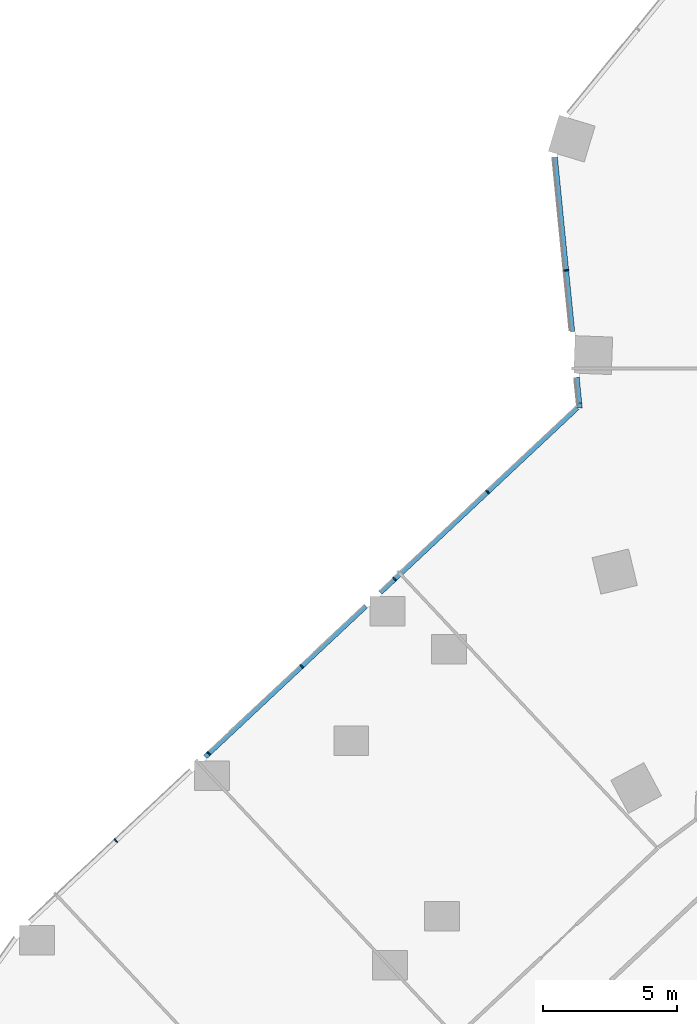
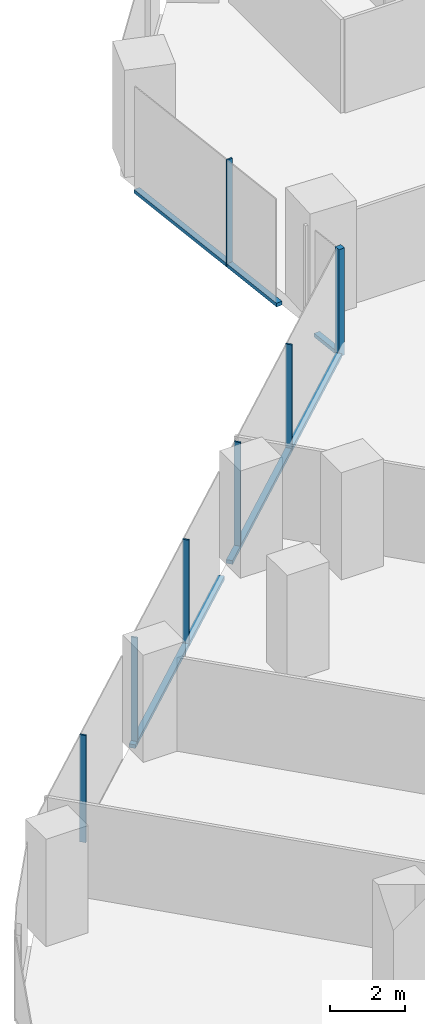
# One storey, part 6 of 34: 11 members, 2 elements without a shape of their own.
"""IFC4 building model written with IfcOpenShell, lengths in metres."""

from ifc_helpers import new_model, si_unit, direction, frame, origin, origin_2d, place, context, subcontext, project, spatial, rectangle, extrude, material, material_profile, profile_set, type_object, element, aggregate, save


model = new_model("IFC4")

# Units and contexts
model_context = context("Model", 3, precision=1e-05, world=origin(), true_north=direction((0.0, 1.0)))
body_context = subcontext(model_context, "Body", "Model", "MODEL_VIEW")
ifc_project = project(units=[si_unit("LENGTHUNIT", "METRE"), si_unit("AREAUNIT", "SQUARE_METRE"), si_unit("VOLUMEUNIT", "CUBIC_METRE"), si_unit("PLANEANGLEUNIT", "RADIAN"), si_unit("MASSUNIT", "GRAM", prefix="KILO")], contexts=[model_context])

# Site, building, storey
site_placement = place(None, origin())
site = spatial("IfcSite", under=ifc_project, at=site_placement, CompositionType="ELEMENT")
building_placement = place(site_placement, origin())
building = spatial("IfcBuilding", under=site, at=building_placement, Name="Orlundy Tower", CompositionType="ELEMENT")
storey_placement = place(building_placement, frame((0.0, 0.0, 44.300048828125)))
storey = spatial("IfcBuildingStorey", under=building, at=storey_placement, Name="L09", CompositionType="ELEMENT", Elevation=44.300048828125)

# Curtain wall, member
ifc_material_1 = material(Name="Aluminium bronze anodised", Category="aluminium")
curtain_wall_type = type_object("IfcCurtainWallType", Name="CW1 wall", PredefinedType="NOTDEFINED", material=ifc_material_1)
curtain_wall_1_placement = place(storey_placement, origin())
curtain_wall_1 = element("IfcCurtainWall", 1, at=curtain_wall_1_placement, inside=storey, type_object=curtain_wall_type, Name="CW1 run 01", PredefinedType="NOTDEFINED")
ifc_material_2 = material(Name="Aluminium bronze anodised", Category="aluminium")
ifc_material_profile_1 = material_profile(ifc_material_2, rectangle(XDim=0.179931640625, YDim=0.179931640625, at=origin_2d()), Name="CW1 corner post 180x180")
ifc_profile_set_1 = profile_set([ifc_material_profile_1], Name="Aluminium bronze anodised")
member_type_1 = type_object("IfcMemberType", Name="CW1 corner post 180x180", PredefinedType="MULLION", material=ifc_profile_set_1)
member_1_placement = place(storey_placement, frame((-30.163818359375, -0.747802734375, -0.420166015625), z_axis=(0.0, 0.0, 1.0), x_axis=(-0.995120028229, -0.098671826867, 0.0)))
member_1 = element("IfcMember", 2, at=member_1_placement, type_object=member_type_1, Name="CW1 mullion 7", PredefinedType="MULLION", context=body_context, shape_type="SweptSolid", body=[
    extrude(rectangle(XDim=0.179931640625, YDim=0.179931640625, at=origin_2d()), origin(), (0.0, 0.0, 1.0), 3.5),
])

# Curtain wall, members
curtain_wall_2_placement = place(storey_placement, origin())
curtain_wall_2 = element("IfcCurtainWall", 3, at=curtain_wall_2_placement, inside=storey, type_object=curtain_wall_type, Name="CW1 run 00", PredefinedType="NOTDEFINED")
ifc_material_3 = material(Name="Aluminium bronze anodised", Category="aluminium")
ifc_material_profile_2 = material_profile(ifc_material_3, rectangle(XDim=0.179931640625, YDim=0.050048828125, at=origin_2d()), Name="CW1 mullion 50x180")
ifc_profile_set_2 = profile_set([ifc_material_profile_2], Name="Aluminium bronze anodised")
member_type_2 = type_object("IfcMemberType", Name="CW1 mullion 50x180", PredefinedType="MULLION", material=ifc_profile_set_2)
member_2_placement = place(storey_placement, frame((-47.47314453125, -16.984130859375, -0.420166015625), z_axis=(0.0, 0.0, 1.0), x_axis=(-0.684139296752, 0.729351371178, 0.0)))
member_2 = element("IfcMember", 4, at=member_2_placement, type_object=member_type_2, Name="CW1 mullion 2", PredefinedType="MULLION", context=body_context, shape_type="SweptSolid", body=[
    extrude(rectangle(XDim=0.179931640625, YDim=0.050048828125, at=origin_2d()), origin(), (0.0, 0.0, 1.0), 3.5),
])
member_3_placement = place(storey_placement, frame((-44.0048828125, -13.730712890625, -0.420166015625), z_axis=(0.0, 0.0, 1.0), x_axis=(-0.684139296752, 0.729351371178, 0.0)))
member_3 = element("IfcMember", 5, at=member_3_placement, type_object=member_type_2, Name="CW1 mullion 3", PredefinedType="MULLION", context=body_context, shape_type="SweptSolid", body=[
    extrude(rectangle(XDim=0.179931640625, YDim=0.050048828125, at=origin_2d()), origin(), (0.0, 0.0, 1.0), 3.5),
])
member_4_placement = place(storey_placement, frame((-40.53662109375, -10.477294921875, -0.420166015625), z_axis=(0.0, 0.0, 1.0), x_axis=(-0.684139296752, 0.729351371178, 0.0)))
member_4 = element("IfcMember", 6, at=member_4_placement, type_object=member_type_2, Name="CW1 mullion 4", PredefinedType="MULLION", context=body_context, shape_type="SweptSolid", body=[
    extrude(rectangle(XDim=0.179931640625, YDim=0.050048828125, at=origin_2d()), origin(), (0.0, 0.0, 1.0), 3.5),
])
member_5_placement = place(storey_placement, frame((-37.068359375, -7.22412109375, -0.420166015625), z_axis=(0.0, 0.0, 1.0), x_axis=(-0.684139296752, 0.729351371178, 0.0)))
member_5 = element("IfcMember", 7, at=member_5_placement, type_object=member_type_2, Name="CW1 mullion 5", PredefinedType="MULLION", context=body_context, shape_type="SweptSolid", body=[
    extrude(rectangle(XDim=0.179931640625, YDim=0.050048828125, at=origin_2d()), origin(), (0.0, 0.0, 1.0), 3.5),
])
member_6_placement = place(storey_placement, frame((-33.599853515625, -3.970703125, -0.420166015625), z_axis=(0.0, 0.0, 1.0), x_axis=(-0.684139296752, 0.729351371178, 0.0)))
member_6 = element("IfcMember", 8, at=member_6_placement, type_object=member_type_2, Name="CW1 mullion 6", PredefinedType="MULLION", context=body_context, shape_type="SweptSolid", body=[
    extrude(rectangle(XDim=0.179931640625, YDim=0.050048828125, at=origin_2d()), origin(), (0.0, 0.0, 1.0), 3.5),
])

# Member
member_7_placement = place(storey_placement, frame((-30.66455078125, 4.301025390625, -0.420166015625), z_axis=(0.0, 0.0, 1.0), x_axis=(-0.995120028229, -0.098671826867, 0.0)))
member_7 = element("IfcMember", 9, at=member_7_placement, type_object=member_type_2, Name="CW1 mullion 8", PredefinedType="MULLION", context=body_context, shape_type="SweptSolid", body=[
    extrude(rectangle(XDim=0.179931640625, YDim=0.050048828125, at=origin_2d()), origin(), (0.0, 0.0, 1.0), 3.5),
])

ifc_material_4 = material(Name="Aluminium bronze anodised", Category="aluminium")
ifc_material_profile_3 = material_profile(ifc_material_4, rectangle(XDim=0.179931640625, YDim=0.1201171875, at=origin_2d()), Name="CW1 transom 180x120")
ifc_profile_set_3 = profile_set([ifc_material_profile_3], Name="Aluminium bronze anodised")
member_type_3 = type_object("IfcMemberType", Name="CW1 transom 180x120", PredefinedType="USERDEFINED", material=ifc_profile_set_3)
member_8_placement = place(storey_placement, frame((-44.143798828125, -13.861083984375, -0.360107421875), z_axis=(0.72933458514, 0.684157191673, 0.0), x_axis=(-0.684157191673, 0.72933458514, 0.0)))
member_8 = element("IfcMember", 10, at=member_8_placement, type_object=member_type_3, Name="CW1 transom", ObjectType="TRANSOM", PredefinedType="USERDEFINED", context=body_context, shape_type="SweptSolid", body=[
    extrude(rectangle(XDim=0.179931640625, YDim=0.1201171875, at=origin_2d()), origin(), (0.0, 0.0, 1.0), 8.23046875),
])

member_9_placement = place(storey_placement, frame((-37.603271484375, -7.72607421875, -0.360107421875), z_axis=(0.729352247535, 0.684138362479, 0.0), x_axis=(-0.684138362479, 0.729352247535, 0.0)))
member_9 = element("IfcMember", 11, at=member_9_placement, type_object=member_type_3, Name="CW1 transom", ObjectType="TRANSOM", PredefinedType="USERDEFINED", context=body_context, shape_type="SweptSolid", body=[
    extrude(rectangle(XDim=0.179931640625, YDim=0.1201171875, at=origin_2d()), origin(), (0.0, 0.0, 1.0), 10.086669921875),
])

aggregate(curtain_wall_2, [member_2, member_3, member_4, member_5, member_6, member_8, member_9])

member_10_placement = place(storey_placement, frame((-30.1728515625, -0.658203125, -0.360107421875), z_axis=(-0.098732593385, 0.995114001009, 0.0), x_axis=(-0.995114001009, -0.098732593385, 0.0)))
member_10 = element("IfcMember", 12, at=member_10_placement, type_object=member_type_3, Name="CW1 transom", ObjectType="TRANSOM", PredefinedType="USERDEFINED", context=body_context, shape_type="SweptSolid", body=[
    extrude(rectangle(XDim=0.179931640625, YDim=0.1201171875, at=origin_2d()), origin(), (0.0, 0.0, 1.0), 0.9716796875),
])

member_11_placement = place(storey_placement, frame((-30.43798828125, 2.0166015625, -0.360107421875), z_axis=(-0.09868941659, 0.995118283951, 0.0), x_axis=(-0.995118283951, -0.09868941659, 0.0)))
member_11 = element("IfcMember", 13, at=member_11_placement, type_object=member_type_3, Name="CW1 transom", ObjectType="TRANSOM", PredefinedType="USERDEFINED", context=body_context, shape_type="SweptSolid", body=[
    extrude(rectangle(XDim=0.179931640625, YDim=0.1201171875, at=origin_2d()), origin(), (0.0, 0.0, 1.0), 6.531005859375),
])

aggregate(curtain_wall_1, [member_1, member_7, member_10, member_11])

save(model, "model.ifc")
